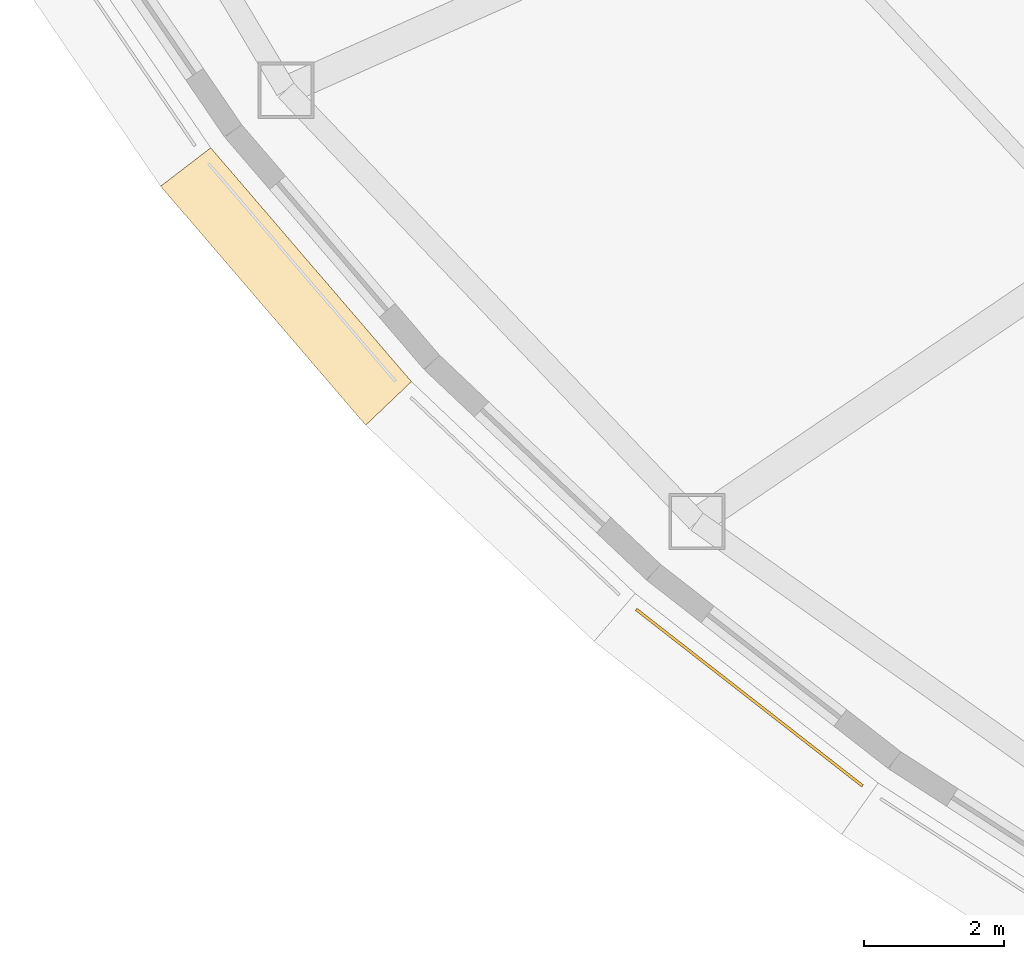
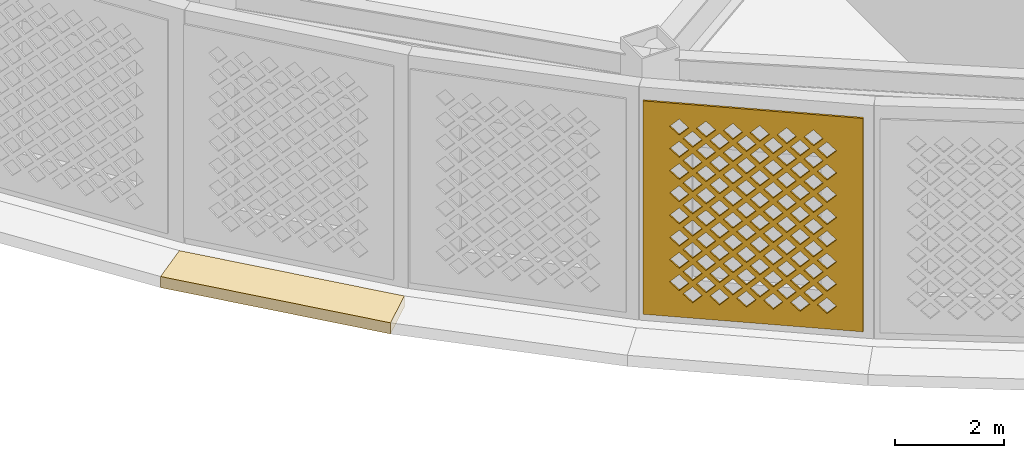
# One storey, part 35 of 69: 2 coverings.
"""IFC4 building model written with IfcOpenShell, lengths in metres."""

from ifc_helpers import new_model, si_unit, direction, frame, origin, place, context, subcontext, project, spatial, polyline, outline, extrude, material, layer, layer_set, type_object, element, save


model = new_model("IFC4")

# Units and contexts
model_context = context("Model", 3, precision=1e-05, world=origin(), true_north=direction((0.0, 1.0)))
body_context = subcontext(model_context, "Body", "Model", "MODEL_VIEW")
ifc_project = project(units=[si_unit("LENGTHUNIT", "METRE"), si_unit("AREAUNIT", "SQUARE_METRE"), si_unit("VOLUMEUNIT", "CUBIC_METRE"), si_unit("PLANEANGLEUNIT", "RADIAN"), si_unit("MASSUNIT", "GRAM", prefix="KILO")], contexts=[model_context])

# Site, building, storey
site_placement = place(None, origin())
site = spatial("IfcSite", under=ifc_project, at=site_placement, CompositionType="ELEMENT")
building_placement = place(site_placement, origin())
building = spatial("IfcBuilding", under=site, at=building_placement, Name="Noorbagh Ring Tower", CompositionType="ELEMENT")
storey_placement = place(building_placement, frame((0.0, 0.0, 19.5)))
storey = spatial("IfcBuildingStorey", under=building, at=storey_placement, Name="L03", CompositionType="ELEMENT", Elevation=19.5)

# Coverings
ifc_material_1 = material(Name="Red sandstone eave", Category="masonry")
covering_type_1 = type_object("IfcCoveringType", Name="STY-CHHAJJA", PredefinedType="USERDEFINED", material=ifc_material_1)
covering_1_placement = place(storey_placement, frame((0.0, 0.0, -0.25)))
element("IfcCovering", 1, at=covering_1_placement, inside=storey, type_object=covering_type_1, Name="Chhajja eave", ObjectType="CHHAJJA", PredefinedType="USERDEFINED", context=body_context, shape_type="SweptSolid", body=[
    extrude(outline(polyline([(-44.77001953125, -20.346923828125), (-41.906494140625, -23.682373046875), (-42.55908203125, -24.3037109375), (-45.485595703125, -20.89501953125), (-44.77001953125, -20.346923828125)])), origin(), (0.0, 0.0, 1.0), 0.25),
])
ifc_material_2 = material(Name="Red sandstone jali", Category="masonry")
ifc_layer = layer(ifc_material_2, 0.0400390625)
ifc_layer_set = layer_set([ifc_layer], Name="Red sandstone jali")
covering_type_2 = type_object("IfcCoveringType", Name="STY-JALI", PredefinedType="USERDEFINED", material=ifc_layer_set)
covering_2_placement = place(storey_placement, frame((-38.712890625, -26.94677734375, 0.449951171875), z_axis=(-0.614979917433, -0.788542770656, 0.0), x_axis=(0.788542770656, -0.614979917433, 0.0)))
element("IfcCovering", 2, at=covering_2_placement, inside=storey, type_object=covering_type_2, Name="Jali screen", ObjectType="SCREEN", PredefinedType="USERDEFINED", context=body_context, shape_type="SweptSolid", body=[
    extrude(outline(polyline([(0.0, 0.0), (4.09619140625, 0.0), (4.09619140625, 4.800048828125), (0.0, 4.800048828125), (0.0, 0.0)]), holes=[polyline([(0.7431640625, 0.52490234375), (0.923095703125, 0.344970703125), (1.10302734375, 0.52490234375), (0.923095703125, 0.705078125), (0.7431640625, 0.52490234375)]), polyline([(1.2431640625, 0.52490234375), (1.423095703125, 0.344970703125), (1.60302734375, 0.52490234375), (1.423095703125, 0.705078125), (1.2431640625, 0.52490234375)]), polyline([(1.7431640625, 0.52490234375), (1.923095703125, 0.344970703125), (2.10302734375, 0.52490234375), (1.923095703125, 0.705078125), (1.7431640625, 0.52490234375)]), polyline([(2.2431640625, 0.52490234375), (2.423095703125, 0.344970703125), (2.60302734375, 0.52490234375), (2.423095703125, 0.705078125), (2.2431640625, 0.52490234375)]), polyline([(2.7431640625, 0.52490234375), (2.923095703125, 0.344970703125), (3.10302734375, 0.52490234375), (2.923095703125, 0.705078125), (2.7431640625, 0.52490234375)]), polyline([(3.2431640625, 0.52490234375), (3.423095703125, 0.344970703125), (3.60302734375, 0.52490234375), (3.423095703125, 0.705078125), (3.2431640625, 0.52490234375)]), polyline([(0.4931640625, 0.77490234375), (0.673095703125, 0.594970703125), (0.85302734375, 0.77490234375), (0.673095703125, 0.955078125), (0.4931640625, 0.77490234375)]), polyline([(0.9931640625, 0.77490234375), (1.173095703125, 0.594970703125), (1.35302734375, 0.77490234375), (1.173095703125, 0.955078125), (0.9931640625, 0.77490234375)]), polyline([(1.4931640625, 0.77490234375), (1.673095703125, 0.594970703125), (1.85302734375, 0.77490234375), (1.673095703125, 0.955078125), (1.4931640625, 0.77490234375)]), polyline([(1.9931640625, 0.77490234375), (2.173095703125, 0.594970703125), (2.35302734375, 0.77490234375), (2.173095703125, 0.955078125), (1.9931640625, 0.77490234375)]), polyline([(2.4931640625, 0.77490234375), (2.673095703125, 0.594970703125), (2.85302734375, 0.77490234375), (2.673095703125, 0.955078125), (2.4931640625, 0.77490234375)]), polyline([(2.9931640625, 0.77490234375), (3.173095703125, 0.594970703125), (3.35302734375, 0.77490234375), (3.173095703125, 0.955078125), (2.9931640625, 0.77490234375)]), polyline([(0.7431640625, 1.02490234375), (0.923095703125, 0.844970703125), (1.10302734375, 1.02490234375), (0.923095703125, 1.205078125), (0.7431640625, 1.02490234375)]), polyline([(1.2431640625, 1.02490234375), (1.423095703125, 0.844970703125), (1.60302734375, 1.02490234375), (1.423095703125, 1.205078125), (1.2431640625, 1.02490234375)]), polyline([(1.7431640625, 1.02490234375), (1.923095703125, 0.844970703125), (2.10302734375, 1.02490234375), (1.923095703125, 1.205078125), (1.7431640625, 1.02490234375)]), polyline([(2.2431640625, 1.02490234375), (2.423095703125, 0.844970703125), (2.60302734375, 1.02490234375), (2.423095703125, 1.205078125), (2.2431640625, 1.02490234375)]), polyline([(2.7431640625, 1.02490234375), (2.923095703125, 0.844970703125), (3.10302734375, 1.02490234375), (2.923095703125, 1.205078125), (2.7431640625, 1.02490234375)]), polyline([(3.2431640625, 1.02490234375), (3.423095703125, 0.844970703125), (3.60302734375, 1.02490234375), (3.423095703125, 1.205078125), (3.2431640625, 1.02490234375)]), polyline([(0.4931640625, 1.27490234375), (0.673095703125, 1.094970703125), (0.85302734375, 1.27490234375), (0.673095703125, 1.455078125), (0.4931640625, 1.27490234375)]), polyline([(0.9931640625, 1.27490234375), (1.173095703125, 1.094970703125), (1.35302734375, 1.27490234375), (1.173095703125, 1.455078125), (0.9931640625, 1.27490234375)]), polyline([(1.4931640625, 1.27490234375), (1.673095703125, 1.094970703125), (1.85302734375, 1.27490234375), (1.673095703125, 1.455078125), (1.4931640625, 1.27490234375)]), polyline([(1.9931640625, 1.27490234375), (2.173095703125, 1.094970703125), (2.35302734375, 1.27490234375), (2.173095703125, 1.455078125), (1.9931640625, 1.27490234375)]), polyline([(2.4931640625, 1.27490234375), (2.673095703125, 1.094970703125), (2.85302734375, 1.27490234375), (2.673095703125, 1.455078125), (2.4931640625, 1.27490234375)]), polyline([(2.9931640625, 1.27490234375), (3.173095703125, 1.094970703125), (3.35302734375, 1.27490234375), (3.173095703125, 1.455078125), (2.9931640625, 1.27490234375)]), polyline([(0.7431640625, 1.52490234375), (0.923095703125, 1.344970703125), (1.10302734375, 1.52490234375), (0.923095703125, 1.705078125), (0.7431640625, 1.52490234375)]), polyline([(1.2431640625, 1.52490234375), (1.423095703125, 1.344970703125), (1.60302734375, 1.52490234375), (1.423095703125, 1.705078125), (1.2431640625, 1.52490234375)]), polyline([(1.7431640625, 1.52490234375), (1.923095703125, 1.344970703125), (2.10302734375, 1.52490234375), (1.923095703125, 1.705078125), (1.7431640625, 1.52490234375)]), polyline([(2.2431640625, 1.52490234375), (2.423095703125, 1.344970703125), (2.60302734375, 1.52490234375), (2.423095703125, 1.705078125), (2.2431640625, 1.52490234375)]), polyline([(2.7431640625, 1.52490234375), (2.923095703125, 1.344970703125), (3.10302734375, 1.52490234375), (2.923095703125, 1.705078125), (2.7431640625, 1.52490234375)]), polyline([(3.2431640625, 1.52490234375), (3.423095703125, 1.344970703125), (3.60302734375, 1.52490234375), (3.423095703125, 1.705078125), (3.2431640625, 1.52490234375)]), polyline([(0.4931640625, 1.77490234375), (0.673095703125, 1.594970703125), (0.85302734375, 1.77490234375), (0.673095703125, 1.955078125), (0.4931640625, 1.77490234375)]), polyline([(0.9931640625, 1.77490234375), (1.173095703125, 1.594970703125), (1.35302734375, 1.77490234375), (1.173095703125, 1.955078125), (0.9931640625, 1.77490234375)]), polyline([(1.4931640625, 1.77490234375), (1.673095703125, 1.594970703125), (1.85302734375, 1.77490234375), (1.673095703125, 1.955078125), (1.4931640625, 1.77490234375)]), polyline([(1.9931640625, 1.77490234375), (2.173095703125, 1.594970703125), (2.35302734375, 1.77490234375), (2.173095703125, 1.955078125), (1.9931640625, 1.77490234375)]), polyline([(2.4931640625, 1.77490234375), (2.673095703125, 1.594970703125), (2.85302734375, 1.77490234375), (2.673095703125, 1.955078125), (2.4931640625, 1.77490234375)]), polyline([(2.9931640625, 1.77490234375), (3.173095703125, 1.594970703125), (3.35302734375, 1.77490234375), (3.173095703125, 1.955078125), (2.9931640625, 1.77490234375)]), polyline([(0.7431640625, 2.02490234375), (0.923095703125, 1.844970703125), (1.10302734375, 2.02490234375), (0.923095703125, 2.205078125), (0.7431640625, 2.02490234375)]), polyline([(1.2431640625, 2.02490234375), (1.423095703125, 1.844970703125), (1.60302734375, 2.02490234375), (1.423095703125, 2.205078125), (1.2431640625, 2.02490234375)]), polyline([(1.7431640625, 2.02490234375), (1.923095703125, 1.844970703125), (2.10302734375, 2.02490234375), (1.923095703125, 2.205078125), (1.7431640625, 2.02490234375)]), polyline([(2.2431640625, 2.02490234375), (2.423095703125, 1.844970703125), (2.60302734375, 2.02490234375), (2.423095703125, 2.205078125), (2.2431640625, 2.02490234375)]), polyline([(2.7431640625, 2.02490234375), (2.923095703125, 1.844970703125), (3.10302734375, 2.02490234375), (2.923095703125, 2.205078125), (2.7431640625, 2.02490234375)]), polyline([(3.2431640625, 2.02490234375), (3.423095703125, 1.844970703125), (3.60302734375, 2.02490234375), (3.423095703125, 2.205078125), (3.2431640625, 2.02490234375)]), polyline([(0.4931640625, 2.27490234375), (0.673095703125, 2.094970703125), (0.85302734375, 2.27490234375), (0.673095703125, 2.455078125), (0.4931640625, 2.27490234375)]), polyline([(0.9931640625, 2.27490234375), (1.173095703125, 2.094970703125), (1.35302734375, 2.27490234375), (1.173095703125, 2.455078125), (0.9931640625, 2.27490234375)]), polyline([(1.4931640625, 2.27490234375), (1.673095703125, 2.094970703125), (1.85302734375, 2.27490234375), (1.673095703125, 2.455078125), (1.4931640625, 2.27490234375)]), polyline([(1.9931640625, 2.27490234375), (2.173095703125, 2.094970703125), (2.35302734375, 2.27490234375), (2.173095703125, 2.455078125), (1.9931640625, 2.27490234375)]), polyline([(2.4931640625, 2.27490234375), (2.673095703125, 2.094970703125), (2.85302734375, 2.27490234375), (2.673095703125, 2.455078125), (2.4931640625, 2.27490234375)]), polyline([(2.9931640625, 2.27490234375), (3.173095703125, 2.094970703125), (3.35302734375, 2.27490234375), (3.173095703125, 2.455078125), (2.9931640625, 2.27490234375)]), polyline([(0.7431640625, 2.52490234375), (0.923095703125, 2.344970703125), (1.10302734375, 2.52490234375), (0.923095703125, 2.705078125), (0.7431640625, 2.52490234375)]), polyline([(1.2431640625, 2.52490234375), (1.423095703125, 2.344970703125), (1.60302734375, 2.52490234375), (1.423095703125, 2.705078125), (1.2431640625, 2.52490234375)]), polyline([(1.7431640625, 2.52490234375), (1.923095703125, 2.344970703125), (2.10302734375, 2.52490234375), (1.923095703125, 2.705078125), (1.7431640625, 2.52490234375)]), polyline([(2.2431640625, 2.52490234375), (2.423095703125, 2.344970703125), (2.60302734375, 2.52490234375), (2.423095703125, 2.705078125), (2.2431640625, 2.52490234375)]), polyline([(2.7431640625, 2.52490234375), (2.923095703125, 2.344970703125), (3.10302734375, 2.52490234375), (2.923095703125, 2.705078125), (2.7431640625, 2.52490234375)]), polyline([(3.2431640625, 2.52490234375), (3.423095703125, 2.344970703125), (3.60302734375, 2.52490234375), (3.423095703125, 2.705078125), (3.2431640625, 2.52490234375)]), polyline([(0.4931640625, 2.77490234375), (0.673095703125, 2.594970703125), (0.85302734375, 2.77490234375), (0.673095703125, 2.955078125), (0.4931640625, 2.77490234375)]), polyline([(0.9931640625, 2.77490234375), (1.173095703125, 2.594970703125), (1.35302734375, 2.77490234375), (1.173095703125, 2.955078125), (0.9931640625, 2.77490234375)]), polyline([(1.4931640625, 2.77490234375), (1.673095703125, 2.594970703125), (1.85302734375, 2.77490234375), (1.673095703125, 2.955078125), (1.4931640625, 2.77490234375)]), polyline([(1.9931640625, 2.77490234375), (2.173095703125, 2.594970703125), (2.35302734375, 2.77490234375), (2.173095703125, 2.955078125), (1.9931640625, 2.77490234375)]), polyline([(2.4931640625, 2.77490234375), (2.673095703125, 2.594970703125), (2.85302734375, 2.77490234375), (2.673095703125, 2.955078125), (2.4931640625, 2.77490234375)]), polyline([(2.9931640625, 2.77490234375), (3.173095703125, 2.594970703125), (3.35302734375, 2.77490234375), (3.173095703125, 2.955078125), (2.9931640625, 2.77490234375)]), polyline([(0.7431640625, 3.02490234375), (0.923095703125, 2.844970703125), (1.10302734375, 3.02490234375), (0.923095703125, 3.205078125), (0.7431640625, 3.02490234375)]), polyline([(1.2431640625, 3.02490234375), (1.423095703125, 2.844970703125), (1.60302734375, 3.02490234375), (1.423095703125, 3.205078125), (1.2431640625, 3.02490234375)]), polyline([(1.7431640625, 3.02490234375), (1.923095703125, 2.844970703125), (2.10302734375, 3.02490234375), (1.923095703125, 3.205078125), (1.7431640625, 3.02490234375)]), polyline([(2.2431640625, 3.02490234375), (2.423095703125, 2.844970703125), (2.60302734375, 3.02490234375), (2.423095703125, 3.205078125), (2.2431640625, 3.02490234375)]), polyline([(2.7431640625, 3.02490234375), (2.923095703125, 2.844970703125), (3.10302734375, 3.02490234375), (2.923095703125, 3.205078125), (2.7431640625, 3.02490234375)]), polyline([(3.2431640625, 3.02490234375), (3.423095703125, 2.844970703125), (3.60302734375, 3.02490234375), (3.423095703125, 3.205078125), (3.2431640625, 3.02490234375)]), polyline([(0.4931640625, 3.27490234375), (0.673095703125, 3.094970703125), (0.85302734375, 3.27490234375), (0.673095703125, 3.455078125), (0.4931640625, 3.27490234375)]), polyline([(0.9931640625, 3.27490234375), (1.173095703125, 3.094970703125), (1.35302734375, 3.27490234375), (1.173095703125, 3.455078125), (0.9931640625, 3.27490234375)]), polyline([(1.4931640625, 3.27490234375), (1.673095703125, 3.094970703125), (1.85302734375, 3.27490234375), (1.673095703125, 3.455078125), (1.4931640625, 3.27490234375)]), polyline([(1.9931640625, 3.27490234375), (2.173095703125, 3.094970703125), (2.35302734375, 3.27490234375), (2.173095703125, 3.455078125), (1.9931640625, 3.27490234375)]), polyline([(2.4931640625, 3.27490234375), (2.673095703125, 3.094970703125), (2.85302734375, 3.27490234375), (2.673095703125, 3.455078125), (2.4931640625, 3.27490234375)]), polyline([(2.9931640625, 3.27490234375), (3.173095703125, 3.094970703125), (3.35302734375, 3.27490234375), (3.173095703125, 3.455078125), (2.9931640625, 3.27490234375)]), polyline([(0.7431640625, 3.52490234375), (0.923095703125, 3.344970703125), (1.10302734375, 3.52490234375), (0.923095703125, 3.705078125), (0.7431640625, 3.52490234375)]), polyline([(1.2431640625, 3.52490234375), (1.423095703125, 3.344970703125), (1.60302734375, 3.52490234375), (1.423095703125, 3.705078125), (1.2431640625, 3.52490234375)]), polyline([(1.7431640625, 3.52490234375), (1.923095703125, 3.344970703125), (2.10302734375, 3.52490234375), (1.923095703125, 3.705078125), (1.7431640625, 3.52490234375)]), polyline([(2.2431640625, 3.52490234375), (2.423095703125, 3.344970703125), (2.60302734375, 3.52490234375), (2.423095703125, 3.705078125), (2.2431640625, 3.52490234375)]), polyline([(2.7431640625, 3.52490234375), (2.923095703125, 3.344970703125), (3.10302734375, 3.52490234375), (2.923095703125, 3.705078125), (2.7431640625, 3.52490234375)]), polyline([(3.2431640625, 3.52490234375), (3.423095703125, 3.344970703125), (3.60302734375, 3.52490234375), (3.423095703125, 3.705078125), (3.2431640625, 3.52490234375)]), polyline([(0.4931640625, 3.77490234375), (0.673095703125, 3.594970703125), (0.85302734375, 3.77490234375), (0.673095703125, 3.955078125), (0.4931640625, 3.77490234375)]), polyline([(0.9931640625, 3.77490234375), (1.173095703125, 3.594970703125), (1.35302734375, 3.77490234375), (1.173095703125, 3.955078125), (0.9931640625, 3.77490234375)]), polyline([(1.4931640625, 3.77490234375), (1.673095703125, 3.594970703125), (1.85302734375, 3.77490234375), (1.673095703125, 3.955078125), (1.4931640625, 3.77490234375)]), polyline([(1.9931640625, 3.77490234375), (2.173095703125, 3.594970703125), (2.35302734375, 3.77490234375), (2.173095703125, 3.955078125), (1.9931640625, 3.77490234375)]), polyline([(2.4931640625, 3.77490234375), (2.673095703125, 3.594970703125), (2.85302734375, 3.77490234375), (2.673095703125, 3.955078125), (2.4931640625, 3.77490234375)]), polyline([(2.9931640625, 3.77490234375), (3.173095703125, 3.594970703125), (3.35302734375, 3.77490234375), (3.173095703125, 3.955078125), (2.9931640625, 3.77490234375)]), polyline([(0.7431640625, 4.02490234375), (0.923095703125, 3.844970703125), (1.10302734375, 4.02490234375), (0.923095703125, 4.205078125), (0.7431640625, 4.02490234375)]), polyline([(1.2431640625, 4.02490234375), (1.423095703125, 3.844970703125), (1.60302734375, 4.02490234375), (1.423095703125, 4.205078125), (1.2431640625, 4.02490234375)]), polyline([(1.7431640625, 4.02490234375), (1.923095703125, 3.844970703125), (2.10302734375, 4.02490234375), (1.923095703125, 4.205078125), (1.7431640625, 4.02490234375)]), polyline([(2.2431640625, 4.02490234375), (2.423095703125, 3.844970703125), (2.60302734375, 4.02490234375), (2.423095703125, 4.205078125), (2.2431640625, 4.02490234375)]), polyline([(2.7431640625, 4.02490234375), (2.923095703125, 3.844970703125), (3.10302734375, 4.02490234375), (2.923095703125, 4.205078125), (2.7431640625, 4.02490234375)]), polyline([(3.2431640625, 4.02490234375), (3.423095703125, 3.844970703125), (3.60302734375, 4.02490234375), (3.423095703125, 4.205078125), (3.2431640625, 4.02490234375)]), polyline([(0.4931640625, 4.27490234375), (0.673095703125, 4.094970703125), (0.85302734375, 4.27490234375), (0.673095703125, 4.455078125), (0.4931640625, 4.27490234375)]), polyline([(0.9931640625, 4.27490234375), (1.173095703125, 4.094970703125), (1.35302734375, 4.27490234375), (1.173095703125, 4.455078125), (0.9931640625, 4.27490234375)]), polyline([(1.4931640625, 4.27490234375), (1.673095703125, 4.094970703125), (1.85302734375, 4.27490234375), (1.673095703125, 4.455078125), (1.4931640625, 4.27490234375)]), polyline([(1.9931640625, 4.27490234375), (2.173095703125, 4.094970703125), (2.35302734375, 4.27490234375), (2.173095703125, 4.455078125), (1.9931640625, 4.27490234375)]), polyline([(2.4931640625, 4.27490234375), (2.673095703125, 4.094970703125), (2.85302734375, 4.27490234375), (2.673095703125, 4.455078125), (2.4931640625, 4.27490234375)]), polyline([(2.9931640625, 4.27490234375), (3.173095703125, 4.094970703125), (3.35302734375, 4.27490234375), (3.173095703125, 4.455078125), (2.9931640625, 4.27490234375)])]), origin(), (0.0, 0.0, -1.0), 0.0400390625),
])

save(model, "model.ifc")
